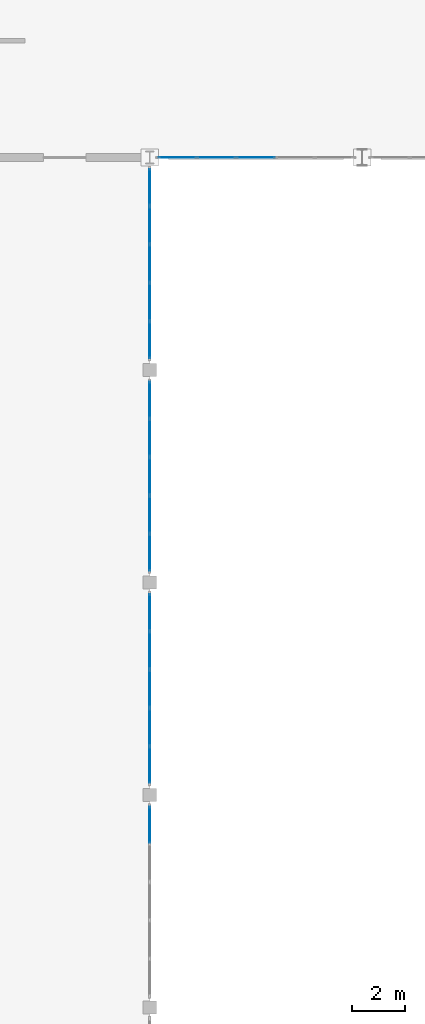
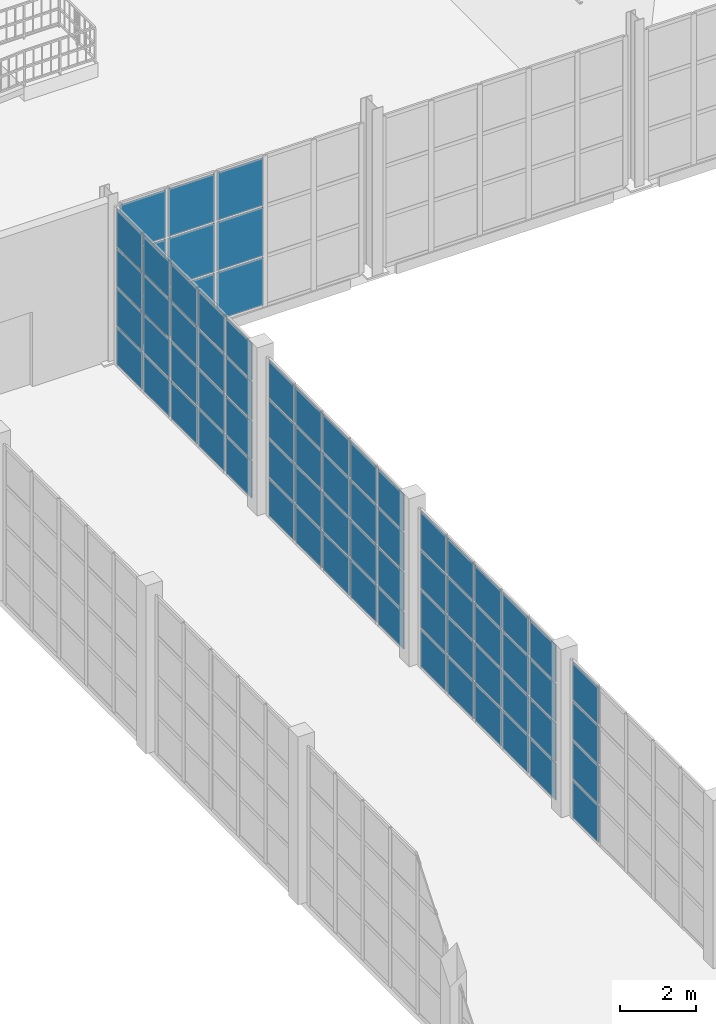
# One storey, part 60 of 82: 73 plates, 5 elements without a shape of their own.
"""IFC4 building model written with IfcOpenShell, lengths in metres."""

from ifc_helpers import new_model, si_unit, direction, frame, origin, origin_2d, place, context, subcontext, project, spatial, rectangle, extrude, material, layer, layer_set, type_object, element, aggregate, save


model = new_model("IFC4")

# Units and contexts
model_context = context("Model", 3, precision=1e-05, world=origin(), true_north=direction((0.0, 1.0)))
body_context = subcontext(model_context, "Body", "Model", "MODEL_VIEW")
ifc_project = project(units=[si_unit("LENGTHUNIT", "METRE"), si_unit("AREAUNIT", "SQUARE_METRE"), si_unit("VOLUMEUNIT", "CUBIC_METRE"), si_unit("PLANEANGLEUNIT", "RADIAN"), si_unit("MASSUNIT", "GRAM", prefix="KILO")], contexts=[model_context])

# Site, building, storey
site_placement = place(None, origin())
site = spatial("IfcSite", under=ifc_project, at=site_placement, CompositionType="ELEMENT")
building_placement = place(site_placement, origin())
building = spatial("IfcBuilding", under=site, at=building_placement, Name="Serraluz Foothill Cableway Terminal", CompositionType="ELEMENT")
storey_placement = place(building_placement, frame((0.0, 0.0, 9.60009765625)))
storey = spatial("IfcBuildingStorey", under=building, at=storey_placement, Name="L02", CompositionType="ELEMENT", Elevation=9.60009765625)

# Curtain wall, plates
ifc_material_1 = material(Name="Architectural bronze alloy C28000", Category="aluminium")
curtain_wall_type_1 = type_object("IfcCurtainWallType", Name="TYP-CW-380X420", PredefinedType="NOTDEFINED", material=ifc_material_1)
curtain_wall_1_placement = place(storey_placement, origin())
curtain_wall_1 = element("IfcCurtainWall", 1, at=curtain_wall_1_placement, inside=storey, type_object=curtain_wall_type_1, Name="Ribbed Glazed Curtain Wall CW-V1S-L02-128", PredefinedType="NOTDEFINED")
ifc_material_2 = material(Name="Translucent ribbed laminated channel glass", Category="glass")
ifc_layer = layer(ifc_material_2, 0.028076171875, Name="Translucent ribbed laminated channel glass", Category="glass")
ifc_layer_set = layer_set([ifc_layer], Name="Translucent ribbed laminated channel glass")
plate_type = type_object("IfcPlateType", Name="TYP-CW-PNL-28", PredefinedType="CURTAIN_PANEL", material=ifc_layer_set)
plate_1_placement = place(storey_placement, frame((131.989501953125, 56.0, 0.06005859375), z_axis=(0.0, 0.0, 1.0), x_axis=(-1.0, 0.0, 0.0)))
plate_1 = element("IfcPlate", 2, at=plate_1_placement, type_object=plate_type, Name="CW-17 panel 3.1", PredefinedType="CURTAIN_PANEL", context=body_context, shape_type="SweptSolid", body=[
    extrude(rectangle(XDim=1.423095703125, YDim=0.028076171875, at=origin_2d()), origin(), (0.0, 0.0, 1.0), 1.526611328125),
])
plate_2_placement = place(storey_placement, frame((131.989501953125, 56.0, 1.646484375), z_axis=(0.0, 0.0, 1.0), x_axis=(-1.0, 0.0, 0.0)))
plate_2 = element("IfcPlate", 3, at=plate_2_placement, type_object=plate_type, Name="CW-17 panel 3.2", PredefinedType="CURTAIN_PANEL", context=body_context, shape_type="SweptSolid", body=[
    extrude(rectangle(XDim=1.423095703125, YDim=0.028076171875, at=origin_2d()), origin(), (0.0, 0.0, 1.0), 1.556640625),
])
plate_3_placement = place(storey_placement, frame((131.989501953125, 56.0, 3.26318359375), z_axis=(0.0, 0.0, 1.0), x_axis=(-1.0, 0.0, 0.0)))
plate_3 = element("IfcPlate", 4, at=plate_3_placement, type_object=plate_type, Name="CW-17 panel 3.3", PredefinedType="CURTAIN_PANEL", context=body_context, shape_type="SweptSolid", body=[
    extrude(rectangle(XDim=1.423095703125, YDim=0.028076171875, at=origin_2d()), origin(), (0.0, 0.0, 1.0), 1.526611328125),
])
plate_4_placement = place(storey_placement, frame((130.50634765625, 56.0, 0.06005859375), z_axis=(0.0, 0.0, 1.0), x_axis=(-1.0, 0.0, 0.0)))
plate_4 = element("IfcPlate", 5, at=plate_4_placement, type_object=plate_type, Name="CW-17 panel 4.1", PredefinedType="CURTAIN_PANEL", context=body_context, shape_type="SweptSolid", body=[
    extrude(rectangle(XDim=1.423095703125, YDim=0.028076171875, at=origin_2d()), origin(), (0.0, 0.0, 1.0), 1.526611328125),
])
plate_5_placement = place(storey_placement, frame((130.50634765625, 56.0, 1.646484375), z_axis=(0.0, 0.0, 1.0), x_axis=(-1.0, 0.0, 0.0)))
plate_5 = element("IfcPlate", 6, at=plate_5_placement, type_object=plate_type, Name="CW-17 panel 4.2", PredefinedType="CURTAIN_PANEL", context=body_context, shape_type="SweptSolid", body=[
    extrude(rectangle(XDim=1.423095703125, YDim=0.028076171875, at=origin_2d()), origin(), (0.0, 0.0, 1.0), 1.556640625),
])
plate_6_placement = place(storey_placement, frame((130.50634765625, 56.0, 3.26318359375), z_axis=(0.0, 0.0, 1.0), x_axis=(-1.0, 0.0, 0.0)))
plate_6 = element("IfcPlate", 7, at=plate_6_placement, type_object=plate_type, Name="CW-17 panel 4.3", PredefinedType="CURTAIN_PANEL", context=body_context, shape_type="SweptSolid", body=[
    extrude(rectangle(XDim=1.423095703125, YDim=0.028076171875, at=origin_2d()), origin(), (0.0, 0.0, 1.0), 1.526611328125),
])
plate_7_placement = place(storey_placement, frame((129.0380859375, 56.0, 0.06005859375), z_axis=(0.0, 0.0, 1.0), x_axis=(-1.0, 0.0, 0.0)))
plate_7 = element("IfcPlate", 8, at=plate_7_placement, type_object=plate_type, Name="CW-17 panel 5.1", PredefinedType="CURTAIN_PANEL", context=body_context, shape_type="SweptSolid", body=[
    extrude(rectangle(XDim=1.393310546875, YDim=0.028076171875, at=origin_2d()), origin(), (0.0, 0.0, 1.0), 1.526611328125),
])
plate_8_placement = place(storey_placement, frame((129.0380859375, 56.0, 1.646484375), z_axis=(0.0, 0.0, 1.0), x_axis=(-1.0, 0.0, 0.0)))
plate_8 = element("IfcPlate", 9, at=plate_8_placement, type_object=plate_type, Name="CW-17 panel 5.2", PredefinedType="CURTAIN_PANEL", context=body_context, shape_type="SweptSolid", body=[
    extrude(rectangle(XDim=1.393310546875, YDim=0.028076171875, at=origin_2d()), origin(), (0.0, 0.0, 1.0), 1.556640625),
])
plate_9_placement = place(storey_placement, frame((129.0380859375, 56.0, 3.26318359375), z_axis=(0.0, 0.0, 1.0), x_axis=(-1.0, 0.0, 0.0)))
plate_9 = element("IfcPlate", 10, at=plate_9_placement, type_object=plate_type, Name="CW-17 panel 5.3", PredefinedType="CURTAIN_PANEL", context=body_context, shape_type="SweptSolid", body=[
    extrude(rectangle(XDim=1.393310546875, YDim=0.028076171875, at=origin_2d()), origin(), (0.0, 0.0, 1.0), 1.526611328125),
])
aggregate(curtain_wall_1, [plate_1, plate_2, plate_3, plate_4, plate_5, plate_6, plate_7, plate_8, plate_9])

curtain_wall_type_2 = type_object("IfcCurtainWallType", Name="TYP-CW-710X420", PredefinedType="NOTDEFINED", material=ifc_material_1)
curtain_wall_2_placement = place(storey_placement, origin())
curtain_wall_2 = element("IfcCurtainWall", 11, at=curtain_wall_2_placement, inside=storey, type_object=curtain_wall_type_2, Name="Ribbed Glazed Curtain Wall CW-CLE-L02-24", PredefinedType="NOTDEFINED")
plate_10_placement = place(storey_placement, frame((128.0, 30.873046875, 0.059814453125), z_axis=(0.0, 0.0, 1.0), x_axis=(0.0, -1.0, 0.0)))
plate_10 = element("IfcPlate", 12, at=plate_10_placement, type_object=plate_type, Name="CW-01 panel 1.1", PredefinedType="CURTAIN_PANEL", context=body_context, shape_type="SweptSolid", body=[
    extrude(rectangle(XDim=1.35400390625, YDim=0.028076171875, at=origin_2d()), origin(), (0.0, 0.0, 1.0), 1.18505859375),
])
plate_11_placement = place(storey_placement, frame((128.0, 30.873046875, 1.3046875), z_axis=(0.0, 0.0, 1.0), x_axis=(0.0, -1.0, 0.0)))
plate_11 = element("IfcPlate", 13, at=plate_11_placement, type_object=plate_type, Name="CW-01 panel 1.2", PredefinedType="CURTAIN_PANEL", context=body_context, shape_type="SweptSolid", body=[
    extrude(rectangle(XDim=1.35400390625, YDim=0.028076171875, at=origin_2d()), origin(), (0.0, 0.0, 1.0), 1.215087890625),
])
plate_12_placement = place(storey_placement, frame((128.0, 30.873046875, 2.580078125), z_axis=(0.0, 0.0, 1.0), x_axis=(0.0, -1.0, 0.0)))
plate_12 = element("IfcPlate", 14, at=plate_12_placement, type_object=plate_type, Name="CW-01 panel 1.3", PredefinedType="CURTAIN_PANEL", context=body_context, shape_type="SweptSolid", body=[
    extrude(rectangle(XDim=1.35400390625, YDim=0.028076171875, at=origin_2d()), origin(), (0.0, 0.0, 1.0), 1.215087890625),
])
plate_13_placement = place(storey_placement, frame((128.0, 30.873046875, 3.85498046875), z_axis=(0.0, 0.0, 1.0), x_axis=(0.0, -1.0, 0.0)))
plate_13 = element("IfcPlate", 15, at=plate_13_placement, type_object=plate_type, Name="CW-01 panel 1.4", PredefinedType="CURTAIN_PANEL", context=body_context, shape_type="SweptSolid", body=[
    extrude(rectangle(XDim=1.35400390625, YDim=0.028076171875, at=origin_2d()), origin(), (0.0, 0.0, 1.0), 1.18505859375),
])
aggregate(curtain_wall_2, [plate_10, plate_11, plate_12, plate_13])

curtain_wall_3_placement = place(storey_placement, origin())
curtain_wall_3 = element("IfcCurtainWall", 16, at=curtain_wall_3_placement, inside=storey, type_object=curtain_wall_type_2, Name="Ribbed Glazed Curtain Wall CW-CLE-L02-32", PredefinedType="NOTDEFINED")
plate_14_placement = place(storey_placement, frame((128.0, 38.873046875, 0.059814453125), z_axis=(0.0, 0.0, 1.0), x_axis=(0.0, -1.0, 0.0)))
plate_14 = element("IfcPlate", 17, at=plate_14_placement, type_object=plate_type, Name="CW-01 panel 1.1", PredefinedType="CURTAIN_PANEL", context=body_context, shape_type="SweptSolid", body=[
    extrude(rectangle(XDim=1.35400390625, YDim=0.028076171875, at=origin_2d()), origin(), (0.0, 0.0, 1.0), 1.18505859375),
])
plate_15_placement = place(storey_placement, frame((128.0, 38.873046875, 1.3046875), z_axis=(0.0, 0.0, 1.0), x_axis=(0.0, -1.0, 0.0)))
plate_15 = element("IfcPlate", 18, at=plate_15_placement, type_object=plate_type, Name="CW-01 panel 1.2", PredefinedType="CURTAIN_PANEL", context=body_context, shape_type="SweptSolid", body=[
    extrude(rectangle(XDim=1.35400390625, YDim=0.028076171875, at=origin_2d()), origin(), (0.0, 0.0, 1.0), 1.215087890625),
])
plate_16_placement = place(storey_placement, frame((128.0, 38.873046875, 2.580078125), z_axis=(0.0, 0.0, 1.0), x_axis=(0.0, -1.0, 0.0)))
plate_16 = element("IfcPlate", 19, at=plate_16_placement, type_object=plate_type, Name="CW-01 panel 1.3", PredefinedType="CURTAIN_PANEL", context=body_context, shape_type="SweptSolid", body=[
    extrude(rectangle(XDim=1.35400390625, YDim=0.028076171875, at=origin_2d()), origin(), (0.0, 0.0, 1.0), 1.215087890625),
])
plate_17_placement = place(storey_placement, frame((128.0, 38.873046875, 3.85498046875), z_axis=(0.0, 0.0, 1.0), x_axis=(0.0, -1.0, 0.0)))
plate_17 = element("IfcPlate", 20, at=plate_17_placement, type_object=plate_type, Name="CW-01 panel 1.4", PredefinedType="CURTAIN_PANEL", context=body_context, shape_type="SweptSolid", body=[
    extrude(rectangle(XDim=1.35400390625, YDim=0.028076171875, at=origin_2d()), origin(), (0.0, 0.0, 1.0), 1.18505859375),
])
plate_18_placement = place(storey_placement, frame((128.0, 37.444091796875, 0.059814453125), z_axis=(0.0, 0.0, 1.0), x_axis=(0.0, -1.0, 0.0)))
plate_18 = element("IfcPlate", 21, at=plate_18_placement, type_object=plate_type, Name="CW-01 panel 2.1", PredefinedType="CURTAIN_PANEL", context=body_context, shape_type="SweptSolid", body=[
    extrude(rectangle(XDim=1.384033203125, YDim=0.028076171875, at=origin_2d()), origin(), (0.0, 0.0, 1.0), 1.18505859375),
])
plate_19_placement = place(storey_placement, frame((128.0, 37.444091796875, 1.3046875), z_axis=(0.0, 0.0, 1.0), x_axis=(0.0, -1.0, 0.0)))
plate_19 = element("IfcPlate", 22, at=plate_19_placement, type_object=plate_type, Name="CW-01 panel 2.2", PredefinedType="CURTAIN_PANEL", context=body_context, shape_type="SweptSolid", body=[
    extrude(rectangle(XDim=1.384033203125, YDim=0.028076171875, at=origin_2d()), origin(), (0.0, 0.0, 1.0), 1.215087890625),
])
plate_20_placement = place(storey_placement, frame((128.0, 37.444091796875, 2.580078125), z_axis=(0.0, 0.0, 1.0), x_axis=(0.0, -1.0, 0.0)))
plate_20 = element("IfcPlate", 23, at=plate_20_placement, type_object=plate_type, Name="CW-01 panel 2.3", PredefinedType="CURTAIN_PANEL", context=body_context, shape_type="SweptSolid", body=[
    extrude(rectangle(XDim=1.384033203125, YDim=0.028076171875, at=origin_2d()), origin(), (0.0, 0.0, 1.0), 1.215087890625),
])
plate_21_placement = place(storey_placement, frame((128.0, 37.444091796875, 3.85498046875), z_axis=(0.0, 0.0, 1.0), x_axis=(0.0, -1.0, 0.0)))
plate_21 = element("IfcPlate", 24, at=plate_21_placement, type_object=plate_type, Name="CW-01 panel 2.4", PredefinedType="CURTAIN_PANEL", context=body_context, shape_type="SweptSolid", body=[
    extrude(rectangle(XDim=1.384033203125, YDim=0.028076171875, at=origin_2d()), origin(), (0.0, 0.0, 1.0), 1.18505859375),
])
plate_22_placement = place(storey_placement, frame((128.0, 36.0, 0.059814453125), z_axis=(0.0, 0.0, 1.0), x_axis=(0.0, -1.0, 0.0)))
plate_22 = element("IfcPlate", 25, at=plate_22_placement, type_object=plate_type, Name="CW-01 panel 3.1", PredefinedType="CURTAIN_PANEL", context=body_context, shape_type="SweptSolid", body=[
    extrude(rectangle(XDim=1.384033203125, YDim=0.028076171875, at=origin_2d()), origin(), (0.0, 0.0, 1.0), 1.18505859375),
])
plate_23_placement = place(storey_placement, frame((128.0, 36.0, 1.3046875), z_axis=(0.0, 0.0, 1.0), x_axis=(0.0, -1.0, 0.0)))
plate_23 = element("IfcPlate", 26, at=plate_23_placement, type_object=plate_type, Name="CW-01 panel 3.2", PredefinedType="CURTAIN_PANEL", context=body_context, shape_type="SweptSolid", body=[
    extrude(rectangle(XDim=1.384033203125, YDim=0.028076171875, at=origin_2d()), origin(), (0.0, 0.0, 1.0), 1.215087890625),
])
plate_24_placement = place(storey_placement, frame((128.0, 36.0, 2.580078125), z_axis=(0.0, 0.0, 1.0), x_axis=(0.0, -1.0, 0.0)))
plate_24 = element("IfcPlate", 27, at=plate_24_placement, type_object=plate_type, Name="CW-01 panel 3.3", PredefinedType="CURTAIN_PANEL", context=body_context, shape_type="SweptSolid", body=[
    extrude(rectangle(XDim=1.384033203125, YDim=0.028076171875, at=origin_2d()), origin(), (0.0, 0.0, 1.0), 1.215087890625),
])
plate_25_placement = place(storey_placement, frame((128.0, 36.0, 3.85498046875), z_axis=(0.0, 0.0, 1.0), x_axis=(0.0, -1.0, 0.0)))
plate_25 = element("IfcPlate", 28, at=plate_25_placement, type_object=plate_type, Name="CW-01 panel 3.4", PredefinedType="CURTAIN_PANEL", context=body_context, shape_type="SweptSolid", body=[
    extrude(rectangle(XDim=1.384033203125, YDim=0.028076171875, at=origin_2d()), origin(), (0.0, 0.0, 1.0), 1.18505859375),
])
plate_26_placement = place(storey_placement, frame((128.0, 34.555908203125, 0.059814453125), z_axis=(0.0, 0.0, 1.0), x_axis=(0.0, -1.0, 0.0)))
plate_26 = element("IfcPlate", 29, at=plate_26_placement, type_object=plate_type, Name="CW-01 panel 4.1", PredefinedType="CURTAIN_PANEL", context=body_context, shape_type="SweptSolid", body=[
    extrude(rectangle(XDim=1.384033203125, YDim=0.028076171875, at=origin_2d()), origin(), (0.0, 0.0, 1.0), 1.18505859375),
])
plate_27_placement = place(storey_placement, frame((128.0, 34.555908203125, 1.3046875), z_axis=(0.0, 0.0, 1.0), x_axis=(0.0, -1.0, 0.0)))
plate_27 = element("IfcPlate", 30, at=plate_27_placement, type_object=plate_type, Name="CW-01 panel 4.2", PredefinedType="CURTAIN_PANEL", context=body_context, shape_type="SweptSolid", body=[
    extrude(rectangle(XDim=1.384033203125, YDim=0.028076171875, at=origin_2d()), origin(), (0.0, 0.0, 1.0), 1.215087890625),
])
plate_28_placement = place(storey_placement, frame((128.0, 34.555908203125, 2.580078125), z_axis=(0.0, 0.0, 1.0), x_axis=(0.0, -1.0, 0.0)))
plate_28 = element("IfcPlate", 31, at=plate_28_placement, type_object=plate_type, Name="CW-01 panel 4.3", PredefinedType="CURTAIN_PANEL", context=body_context, shape_type="SweptSolid", body=[
    extrude(rectangle(XDim=1.384033203125, YDim=0.028076171875, at=origin_2d()), origin(), (0.0, 0.0, 1.0), 1.215087890625),
])
plate_29_placement = place(storey_placement, frame((128.0, 34.555908203125, 3.85498046875), z_axis=(0.0, 0.0, 1.0), x_axis=(0.0, -1.0, 0.0)))
plate_29 = element("IfcPlate", 32, at=plate_29_placement, type_object=plate_type, Name="CW-01 panel 4.4", PredefinedType="CURTAIN_PANEL", context=body_context, shape_type="SweptSolid", body=[
    extrude(rectangle(XDim=1.384033203125, YDim=0.028076171875, at=origin_2d()), origin(), (0.0, 0.0, 1.0), 1.18505859375),
])
plate_30_placement = place(storey_placement, frame((128.0, 33.126953125, 0.059814453125), z_axis=(0.0, 0.0, 1.0), x_axis=(0.0, -1.0, 0.0)))
plate_30 = element("IfcPlate", 33, at=plate_30_placement, type_object=plate_type, Name="CW-01 panel 5.1", PredefinedType="CURTAIN_PANEL", context=body_context, shape_type="SweptSolid", body=[
    extrude(rectangle(XDim=1.35400390625, YDim=0.028076171875, at=origin_2d()), origin(), (0.0, 0.0, 1.0), 1.18505859375),
])
plate_31_placement = place(storey_placement, frame((128.0, 33.126953125, 1.3046875), z_axis=(0.0, 0.0, 1.0), x_axis=(0.0, -1.0, 0.0)))
plate_31 = element("IfcPlate", 34, at=plate_31_placement, type_object=plate_type, Name="CW-01 panel 5.2", PredefinedType="CURTAIN_PANEL", context=body_context, shape_type="SweptSolid", body=[
    extrude(rectangle(XDim=1.35400390625, YDim=0.028076171875, at=origin_2d()), origin(), (0.0, 0.0, 1.0), 1.215087890625),
])
plate_32_placement = place(storey_placement, frame((128.0, 33.126953125, 2.580078125), z_axis=(0.0, 0.0, 1.0), x_axis=(0.0, -1.0, 0.0)))
plate_32 = element("IfcPlate", 35, at=plate_32_placement, type_object=plate_type, Name="CW-01 panel 5.3", PredefinedType="CURTAIN_PANEL", context=body_context, shape_type="SweptSolid", body=[
    extrude(rectangle(XDim=1.35400390625, YDim=0.028076171875, at=origin_2d()), origin(), (0.0, 0.0, 1.0), 1.215087890625),
])
plate_33_placement = place(storey_placement, frame((128.0, 33.126953125, 3.85498046875), z_axis=(0.0, 0.0, 1.0), x_axis=(0.0, -1.0, 0.0)))
plate_33 = element("IfcPlate", 36, at=plate_33_placement, type_object=plate_type, Name="CW-01 panel 5.4", PredefinedType="CURTAIN_PANEL", context=body_context, shape_type="SweptSolid", body=[
    extrude(rectangle(XDim=1.35400390625, YDim=0.028076171875, at=origin_2d()), origin(), (0.0, 0.0, 1.0), 1.18505859375),
])
aggregate(curtain_wall_3, [plate_14, plate_15, plate_16, plate_17, plate_18, plate_19, plate_20, plate_21, plate_22, plate_23, plate_24, plate_25, plate_26, plate_27, plate_28, plate_29, plate_30, plate_31, plate_32, plate_33])

curtain_wall_4_placement = place(storey_placement, origin())
curtain_wall_4 = element("IfcCurtainWall", 37, at=curtain_wall_4_placement, inside=storey, type_object=curtain_wall_type_2, Name="Ribbed Glazed Curtain Wall CW-CLE-L02-40", PredefinedType="NOTDEFINED")
plate_34_placement = place(storey_placement, frame((128.0, 46.873046875, 0.059814453125), z_axis=(0.0, 0.0, 1.0), x_axis=(0.0, -1.0, 0.0)))
plate_34 = element("IfcPlate", 38, at=plate_34_placement, type_object=plate_type, Name="CW-01 panel 1.1", PredefinedType="CURTAIN_PANEL", context=body_context, shape_type="SweptSolid", body=[
    extrude(rectangle(XDim=1.35400390625, YDim=0.028076171875, at=origin_2d()), origin(), (0.0, 0.0, 1.0), 1.18505859375),
])
plate_35_placement = place(storey_placement, frame((128.0, 46.873046875, 1.3046875), z_axis=(0.0, 0.0, 1.0), x_axis=(0.0, -1.0, 0.0)))
plate_35 = element("IfcPlate", 39, at=plate_35_placement, type_object=plate_type, Name="CW-01 panel 1.2", PredefinedType="CURTAIN_PANEL", context=body_context, shape_type="SweptSolid", body=[
    extrude(rectangle(XDim=1.35400390625, YDim=0.028076171875, at=origin_2d()), origin(), (0.0, 0.0, 1.0), 1.215087890625),
])
plate_36_placement = place(storey_placement, frame((128.0, 46.873046875, 2.580078125), z_axis=(0.0, 0.0, 1.0), x_axis=(0.0, -1.0, 0.0)))
plate_36 = element("IfcPlate", 40, at=plate_36_placement, type_object=plate_type, Name="CW-01 panel 1.3", PredefinedType="CURTAIN_PANEL", context=body_context, shape_type="SweptSolid", body=[
    extrude(rectangle(XDim=1.35400390625, YDim=0.028076171875, at=origin_2d()), origin(), (0.0, 0.0, 1.0), 1.215087890625),
])
plate_37_placement = place(storey_placement, frame((128.0, 46.873046875, 3.85498046875), z_axis=(0.0, 0.0, 1.0), x_axis=(0.0, -1.0, 0.0)))
plate_37 = element("IfcPlate", 41, at=plate_37_placement, type_object=plate_type, Name="CW-01 panel 1.4", PredefinedType="CURTAIN_PANEL", context=body_context, shape_type="SweptSolid", body=[
    extrude(rectangle(XDim=1.35400390625, YDim=0.028076171875, at=origin_2d()), origin(), (0.0, 0.0, 1.0), 1.18505859375),
])
plate_38_placement = place(storey_placement, frame((128.0, 45.444091796875, 0.059814453125), z_axis=(0.0, 0.0, 1.0), x_axis=(0.0, -1.0, 0.0)))
plate_38 = element("IfcPlate", 42, at=plate_38_placement, type_object=plate_type, Name="CW-01 panel 2.1", PredefinedType="CURTAIN_PANEL", context=body_context, shape_type="SweptSolid", body=[
    extrude(rectangle(XDim=1.384033203125, YDim=0.028076171875, at=origin_2d()), origin(), (0.0, 0.0, 1.0), 1.18505859375),
])
plate_39_placement = place(storey_placement, frame((128.0, 45.444091796875, 1.3046875), z_axis=(0.0, 0.0, 1.0), x_axis=(0.0, -1.0, 0.0)))
plate_39 = element("IfcPlate", 43, at=plate_39_placement, type_object=plate_type, Name="CW-01 panel 2.2", PredefinedType="CURTAIN_PANEL", context=body_context, shape_type="SweptSolid", body=[
    extrude(rectangle(XDim=1.384033203125, YDim=0.028076171875, at=origin_2d()), origin(), (0.0, 0.0, 1.0), 1.215087890625),
])
plate_40_placement = place(storey_placement, frame((128.0, 45.444091796875, 2.580078125), z_axis=(0.0, 0.0, 1.0), x_axis=(0.0, -1.0, 0.0)))
plate_40 = element("IfcPlate", 44, at=plate_40_placement, type_object=plate_type, Name="CW-01 panel 2.3", PredefinedType="CURTAIN_PANEL", context=body_context, shape_type="SweptSolid", body=[
    extrude(rectangle(XDim=1.384033203125, YDim=0.028076171875, at=origin_2d()), origin(), (0.0, 0.0, 1.0), 1.215087890625),
])
plate_41_placement = place(storey_placement, frame((128.0, 45.444091796875, 3.85498046875), z_axis=(0.0, 0.0, 1.0), x_axis=(0.0, -1.0, 0.0)))
plate_41 = element("IfcPlate", 45, at=plate_41_placement, type_object=plate_type, Name="CW-01 panel 2.4", PredefinedType="CURTAIN_PANEL", context=body_context, shape_type="SweptSolid", body=[
    extrude(rectangle(XDim=1.384033203125, YDim=0.028076171875, at=origin_2d()), origin(), (0.0, 0.0, 1.0), 1.18505859375),
])
plate_42_placement = place(storey_placement, frame((128.0, 44.0, 0.059814453125), z_axis=(0.0, 0.0, 1.0), x_axis=(0.0, -1.0, 0.0)))
plate_42 = element("IfcPlate", 46, at=plate_42_placement, type_object=plate_type, Name="CW-01 panel 3.1", PredefinedType="CURTAIN_PANEL", context=body_context, shape_type="SweptSolid", body=[
    extrude(rectangle(XDim=1.384033203125, YDim=0.028076171875, at=origin_2d()), origin(), (0.0, 0.0, 1.0), 1.18505859375),
])
plate_43_placement = place(storey_placement, frame((128.0, 44.0, 1.3046875), z_axis=(0.0, 0.0, 1.0), x_axis=(0.0, -1.0, 0.0)))
plate_43 = element("IfcPlate", 47, at=plate_43_placement, type_object=plate_type, Name="CW-01 panel 3.2", PredefinedType="CURTAIN_PANEL", context=body_context, shape_type="SweptSolid", body=[
    extrude(rectangle(XDim=1.384033203125, YDim=0.028076171875, at=origin_2d()), origin(), (0.0, 0.0, 1.0), 1.215087890625),
])
plate_44_placement = place(storey_placement, frame((128.0, 44.0, 2.580078125), z_axis=(0.0, 0.0, 1.0), x_axis=(0.0, -1.0, 0.0)))
plate_44 = element("IfcPlate", 48, at=plate_44_placement, type_object=plate_type, Name="CW-01 panel 3.3", PredefinedType="CURTAIN_PANEL", context=body_context, shape_type="SweptSolid", body=[
    extrude(rectangle(XDim=1.384033203125, YDim=0.028076171875, at=origin_2d()), origin(), (0.0, 0.0, 1.0), 1.215087890625),
])
plate_45_placement = place(storey_placement, frame((128.0, 44.0, 3.85498046875), z_axis=(0.0, 0.0, 1.0), x_axis=(0.0, -1.0, 0.0)))
plate_45 = element("IfcPlate", 49, at=plate_45_placement, type_object=plate_type, Name="CW-01 panel 3.4", PredefinedType="CURTAIN_PANEL", context=body_context, shape_type="SweptSolid", body=[
    extrude(rectangle(XDim=1.384033203125, YDim=0.028076171875, at=origin_2d()), origin(), (0.0, 0.0, 1.0), 1.18505859375),
])
plate_46_placement = place(storey_placement, frame((128.0, 42.555908203125, 0.059814453125), z_axis=(0.0, 0.0, 1.0), x_axis=(0.0, -1.0, 0.0)))
plate_46 = element("IfcPlate", 50, at=plate_46_placement, type_object=plate_type, Name="CW-01 panel 4.1", PredefinedType="CURTAIN_PANEL", context=body_context, shape_type="SweptSolid", body=[
    extrude(rectangle(XDim=1.384033203125, YDim=0.028076171875, at=origin_2d()), origin(), (0.0, 0.0, 1.0), 1.18505859375),
])
plate_47_placement = place(storey_placement, frame((128.0, 42.555908203125, 1.3046875), z_axis=(0.0, 0.0, 1.0), x_axis=(0.0, -1.0, 0.0)))
plate_47 = element("IfcPlate", 51, at=plate_47_placement, type_object=plate_type, Name="CW-01 panel 4.2", PredefinedType="CURTAIN_PANEL", context=body_context, shape_type="SweptSolid", body=[
    extrude(rectangle(XDim=1.384033203125, YDim=0.028076171875, at=origin_2d()), origin(), (0.0, 0.0, 1.0), 1.215087890625),
])
plate_48_placement = place(storey_placement, frame((128.0, 42.555908203125, 2.580078125), z_axis=(0.0, 0.0, 1.0), x_axis=(0.0, -1.0, 0.0)))
plate_48 = element("IfcPlate", 52, at=plate_48_placement, type_object=plate_type, Name="CW-01 panel 4.3", PredefinedType="CURTAIN_PANEL", context=body_context, shape_type="SweptSolid", body=[
    extrude(rectangle(XDim=1.384033203125, YDim=0.028076171875, at=origin_2d()), origin(), (0.0, 0.0, 1.0), 1.215087890625),
])
plate_49_placement = place(storey_placement, frame((128.0, 42.555908203125, 3.85498046875), z_axis=(0.0, 0.0, 1.0), x_axis=(0.0, -1.0, 0.0)))
plate_49 = element("IfcPlate", 53, at=plate_49_placement, type_object=plate_type, Name="CW-01 panel 4.4", PredefinedType="CURTAIN_PANEL", context=body_context, shape_type="SweptSolid", body=[
    extrude(rectangle(XDim=1.384033203125, YDim=0.028076171875, at=origin_2d()), origin(), (0.0, 0.0, 1.0), 1.18505859375),
])
plate_50_placement = place(storey_placement, frame((128.0, 41.126953125, 0.059814453125), z_axis=(0.0, 0.0, 1.0), x_axis=(0.0, -1.0, 0.0)))
plate_50 = element("IfcPlate", 54, at=plate_50_placement, type_object=plate_type, Name="CW-01 panel 5.1", PredefinedType="CURTAIN_PANEL", context=body_context, shape_type="SweptSolid", body=[
    extrude(rectangle(XDim=1.35400390625, YDim=0.028076171875, at=origin_2d()), origin(), (0.0, 0.0, 1.0), 1.18505859375),
])
plate_51_placement = place(storey_placement, frame((128.0, 41.126953125, 1.3046875), z_axis=(0.0, 0.0, 1.0), x_axis=(0.0, -1.0, 0.0)))
plate_51 = element("IfcPlate", 55, at=plate_51_placement, type_object=plate_type, Name="CW-01 panel 5.2", PredefinedType="CURTAIN_PANEL", context=body_context, shape_type="SweptSolid", body=[
    extrude(rectangle(XDim=1.35400390625, YDim=0.028076171875, at=origin_2d()), origin(), (0.0, 0.0, 1.0), 1.215087890625),
])
plate_52_placement = place(storey_placement, frame((128.0, 41.126953125, 2.580078125), z_axis=(0.0, 0.0, 1.0), x_axis=(0.0, -1.0, 0.0)))
plate_52 = element("IfcPlate", 56, at=plate_52_placement, type_object=plate_type, Name="CW-01 panel 5.3", PredefinedType="CURTAIN_PANEL", context=body_context, shape_type="SweptSolid", body=[
    extrude(rectangle(XDim=1.35400390625, YDim=0.028076171875, at=origin_2d()), origin(), (0.0, 0.0, 1.0), 1.215087890625),
])
plate_53_placement = place(storey_placement, frame((128.0, 41.126953125, 3.85498046875), z_axis=(0.0, 0.0, 1.0), x_axis=(0.0, -1.0, 0.0)))
plate_53 = element("IfcPlate", 57, at=plate_53_placement, type_object=plate_type, Name="CW-01 panel 5.4", PredefinedType="CURTAIN_PANEL", context=body_context, shape_type="SweptSolid", body=[
    extrude(rectangle(XDim=1.35400390625, YDim=0.028076171875, at=origin_2d()), origin(), (0.0, 0.0, 1.0), 1.18505859375),
])
aggregate(curtain_wall_4, [plate_34, plate_35, plate_36, plate_37, plate_38, plate_39, plate_40, plate_41, plate_42, plate_43, plate_44, plate_45, plate_46, plate_47, plate_48, plate_49, plate_50, plate_51, plate_52, plate_53])

curtain_wall_5_placement = place(storey_placement, origin())
curtain_wall_5 = element("IfcCurtainWall", 58, at=curtain_wall_5_placement, inside=storey, type_object=curtain_wall_type_2, Name="Ribbed Glazed Curtain Wall CW-CLE-L02-48", PredefinedType="NOTDEFINED")
plate_54_placement = place(storey_placement, frame((128.0, 54.885498046875, 0.059814453125), z_axis=(0.0, 0.0, 1.0), x_axis=(0.0, -1.0, 0.0)))
plate_54 = element("IfcPlate", 59, at=plate_54_placement, type_object=plate_type, Name="CW-01 panel 1.1", PredefinedType="CURTAIN_PANEL", context=body_context, shape_type="SweptSolid", body=[
    extrude(rectangle(XDim=1.356689453125, YDim=0.028076171875, at=origin_2d()), origin(), (0.0, 0.0, 1.0), 1.18505859375),
])
plate_55_placement = place(storey_placement, frame((128.0, 54.885498046875, 1.3046875), z_axis=(0.0, 0.0, 1.0), x_axis=(0.0, -1.0, 0.0)))
plate_55 = element("IfcPlate", 60, at=plate_55_placement, type_object=plate_type, Name="CW-01 panel 1.2", PredefinedType="CURTAIN_PANEL", context=body_context, shape_type="SweptSolid", body=[
    extrude(rectangle(XDim=1.356689453125, YDim=0.028076171875, at=origin_2d()), origin(), (0.0, 0.0, 1.0), 1.215087890625),
])
plate_56_placement = place(storey_placement, frame((128.0, 54.885498046875, 2.580078125), z_axis=(0.0, 0.0, 1.0), x_axis=(0.0, -1.0, 0.0)))
plate_56 = element("IfcPlate", 61, at=plate_56_placement, type_object=plate_type, Name="CW-01 panel 1.3", PredefinedType="CURTAIN_PANEL", context=body_context, shape_type="SweptSolid", body=[
    extrude(rectangle(XDim=1.356689453125, YDim=0.028076171875, at=origin_2d()), origin(), (0.0, 0.0, 1.0), 1.215087890625),
])
plate_57_placement = place(storey_placement, frame((128.0, 54.885498046875, 3.85498046875), z_axis=(0.0, 0.0, 1.0), x_axis=(0.0, -1.0, 0.0)))
plate_57 = element("IfcPlate", 62, at=plate_57_placement, type_object=plate_type, Name="CW-01 panel 1.4", PredefinedType="CURTAIN_PANEL", context=body_context, shape_type="SweptSolid", body=[
    extrude(rectangle(XDim=1.356689453125, YDim=0.028076171875, at=origin_2d()), origin(), (0.0, 0.0, 1.0), 1.18505859375),
])
plate_58_placement = place(storey_placement, frame((128.0, 53.453857421875, 0.059814453125), z_axis=(0.0, 0.0, 1.0), x_axis=(0.0, -1.0, 0.0)))
plate_58 = element("IfcPlate", 63, at=plate_58_placement, type_object=plate_type, Name="CW-01 panel 2.1", PredefinedType="CURTAIN_PANEL", context=body_context, shape_type="SweptSolid", body=[
    extrude(rectangle(XDim=1.38671875, YDim=0.028076171875, at=origin_2d()), origin(), (0.0, 0.0, 1.0), 1.18505859375),
])
plate_59_placement = place(storey_placement, frame((128.0, 53.453857421875, 1.3046875), z_axis=(0.0, 0.0, 1.0), x_axis=(0.0, -1.0, 0.0)))
plate_59 = element("IfcPlate", 64, at=plate_59_placement, type_object=plate_type, Name="CW-01 panel 2.2", PredefinedType="CURTAIN_PANEL", context=body_context, shape_type="SweptSolid", body=[
    extrude(rectangle(XDim=1.38671875, YDim=0.028076171875, at=origin_2d()), origin(), (0.0, 0.0, 1.0), 1.215087890625),
])
plate_60_placement = place(storey_placement, frame((128.0, 53.453857421875, 2.580078125), z_axis=(0.0, 0.0, 1.0), x_axis=(0.0, -1.0, 0.0)))
plate_60 = element("IfcPlate", 65, at=plate_60_placement, type_object=plate_type, Name="CW-01 panel 2.3", PredefinedType="CURTAIN_PANEL", context=body_context, shape_type="SweptSolid", body=[
    extrude(rectangle(XDim=1.38671875, YDim=0.028076171875, at=origin_2d()), origin(), (0.0, 0.0, 1.0), 1.215087890625),
])
plate_61_placement = place(storey_placement, frame((128.0, 53.453857421875, 3.85498046875), z_axis=(0.0, 0.0, 1.0), x_axis=(0.0, -1.0, 0.0)))
plate_61 = element("IfcPlate", 66, at=plate_61_placement, type_object=plate_type, Name="CW-01 panel 2.4", PredefinedType="CURTAIN_PANEL", context=body_context, shape_type="SweptSolid", body=[
    extrude(rectangle(XDim=1.38671875, YDim=0.028076171875, at=origin_2d()), origin(), (0.0, 0.0, 1.0), 1.18505859375),
])
plate_62_placement = place(storey_placement, frame((128.0, 52.007080078125, 0.059814453125), z_axis=(0.0, 0.0, 1.0), x_axis=(0.0, -1.0, 0.0)))
plate_62 = element("IfcPlate", 67, at=plate_62_placement, type_object=plate_type, Name="CW-01 panel 3.1", PredefinedType="CURTAIN_PANEL", context=body_context, shape_type="SweptSolid", body=[
    extrude(rectangle(XDim=1.38671875, YDim=0.028076171875, at=origin_2d()), origin(), (0.0, 0.0, 1.0), 1.18505859375),
])
plate_63_placement = place(storey_placement, frame((128.0, 52.007080078125, 1.3046875), z_axis=(0.0, 0.0, 1.0), x_axis=(0.0, -1.0, 0.0)))
plate_63 = element("IfcPlate", 68, at=plate_63_placement, type_object=plate_type, Name="CW-01 panel 3.2", PredefinedType="CURTAIN_PANEL", context=body_context, shape_type="SweptSolid", body=[
    extrude(rectangle(XDim=1.38671875, YDim=0.028076171875, at=origin_2d()), origin(), (0.0, 0.0, 1.0), 1.215087890625),
])
plate_64_placement = place(storey_placement, frame((128.0, 52.007080078125, 2.580078125), z_axis=(0.0, 0.0, 1.0), x_axis=(0.0, -1.0, 0.0)))
plate_64 = element("IfcPlate", 69, at=plate_64_placement, type_object=plate_type, Name="CW-01 panel 3.3", PredefinedType="CURTAIN_PANEL", context=body_context, shape_type="SweptSolid", body=[
    extrude(rectangle(XDim=1.38671875, YDim=0.028076171875, at=origin_2d()), origin(), (0.0, 0.0, 1.0), 1.215087890625),
])
plate_65_placement = place(storey_placement, frame((128.0, 52.007080078125, 3.85498046875), z_axis=(0.0, 0.0, 1.0), x_axis=(0.0, -1.0, 0.0)))
plate_65 = element("IfcPlate", 70, at=plate_65_placement, type_object=plate_type, Name="CW-01 panel 3.4", PredefinedType="CURTAIN_PANEL", context=body_context, shape_type="SweptSolid", body=[
    extrude(rectangle(XDim=1.38671875, YDim=0.028076171875, at=origin_2d()), origin(), (0.0, 0.0, 1.0), 1.18505859375),
])
plate_66_placement = place(storey_placement, frame((128.0, 50.560302734375, 0.059814453125), z_axis=(0.0, 0.0, 1.0), x_axis=(0.0, -1.0, 0.0)))
plate_66 = element("IfcPlate", 71, at=plate_66_placement, type_object=plate_type, Name="CW-01 panel 4.1", PredefinedType="CURTAIN_PANEL", context=body_context, shape_type="SweptSolid", body=[
    extrude(rectangle(XDim=1.38671875, YDim=0.028076171875, at=origin_2d()), origin(), (0.0, 0.0, 1.0), 1.18505859375),
])
plate_67_placement = place(storey_placement, frame((128.0, 50.560302734375, 1.3046875), z_axis=(0.0, 0.0, 1.0), x_axis=(0.0, -1.0, 0.0)))
plate_67 = element("IfcPlate", 72, at=plate_67_placement, type_object=plate_type, Name="CW-01 panel 4.2", PredefinedType="CURTAIN_PANEL", context=body_context, shape_type="SweptSolid", body=[
    extrude(rectangle(XDim=1.38671875, YDim=0.028076171875, at=origin_2d()), origin(), (0.0, 0.0, 1.0), 1.215087890625),
])
plate_68_placement = place(storey_placement, frame((128.0, 50.560302734375, 2.580078125), z_axis=(0.0, 0.0, 1.0), x_axis=(0.0, -1.0, 0.0)))
plate_68 = element("IfcPlate", 73, at=plate_68_placement, type_object=plate_type, Name="CW-01 panel 4.3", PredefinedType="CURTAIN_PANEL", context=body_context, shape_type="SweptSolid", body=[
    extrude(rectangle(XDim=1.38671875, YDim=0.028076171875, at=origin_2d()), origin(), (0.0, 0.0, 1.0), 1.215087890625),
])
plate_69_placement = place(storey_placement, frame((128.0, 50.560302734375, 3.85498046875), z_axis=(0.0, 0.0, 1.0), x_axis=(0.0, -1.0, 0.0)))
plate_69 = element("IfcPlate", 74, at=plate_69_placement, type_object=plate_type, Name="CW-01 panel 4.4", PredefinedType="CURTAIN_PANEL", context=body_context, shape_type="SweptSolid", body=[
    extrude(rectangle(XDim=1.38671875, YDim=0.028076171875, at=origin_2d()), origin(), (0.0, 0.0, 1.0), 1.18505859375),
])
plate_70_placement = place(storey_placement, frame((128.0, 49.12841796875, 0.059814453125), z_axis=(0.0, 0.0, 1.0), x_axis=(0.0, -1.0, 0.0)))
plate_70 = element("IfcPlate", 75, at=plate_70_placement, type_object=plate_type, Name="CW-01 panel 5.1", PredefinedType="CURTAIN_PANEL", context=body_context, shape_type="SweptSolid", body=[
    extrude(rectangle(XDim=1.356689453125, YDim=0.028076171875, at=origin_2d()), origin(), (0.0, 0.0, 1.0), 1.18505859375),
])
plate_71_placement = place(storey_placement, frame((128.0, 49.12841796875, 1.3046875), z_axis=(0.0, 0.0, 1.0), x_axis=(0.0, -1.0, 0.0)))
plate_71 = element("IfcPlate", 76, at=plate_71_placement, type_object=plate_type, Name="CW-01 panel 5.2", PredefinedType="CURTAIN_PANEL", context=body_context, shape_type="SweptSolid", body=[
    extrude(rectangle(XDim=1.356689453125, YDim=0.028076171875, at=origin_2d()), origin(), (0.0, 0.0, 1.0), 1.215087890625),
])
plate_72_placement = place(storey_placement, frame((128.0, 49.12841796875, 2.580078125), z_axis=(0.0, 0.0, 1.0), x_axis=(0.0, -1.0, 0.0)))
plate_72 = element("IfcPlate", 77, at=plate_72_placement, type_object=plate_type, Name="CW-01 panel 5.3", PredefinedType="CURTAIN_PANEL", context=body_context, shape_type="SweptSolid", body=[
    extrude(rectangle(XDim=1.356689453125, YDim=0.028076171875, at=origin_2d()), origin(), (0.0, 0.0, 1.0), 1.215087890625),
])
plate_73_placement = place(storey_placement, frame((128.0, 49.12841796875, 3.85498046875), z_axis=(0.0, 0.0, 1.0), x_axis=(0.0, -1.0, 0.0)))
plate_73 = element("IfcPlate", 78, at=plate_73_placement, type_object=plate_type, Name="CW-01 panel 5.4", PredefinedType="CURTAIN_PANEL", context=body_context, shape_type="SweptSolid", body=[
    extrude(rectangle(XDim=1.356689453125, YDim=0.028076171875, at=origin_2d()), origin(), (0.0, 0.0, 1.0), 1.18505859375),
])
aggregate(curtain_wall_5, [plate_54, plate_55, plate_56, plate_57, plate_58, plate_59, plate_60, plate_61, plate_62, plate_63, plate_64, plate_65, plate_66, plate_67, plate_68, plate_69, plate_70, plate_71, plate_72, plate_73])

save(model, "model.ifc")
